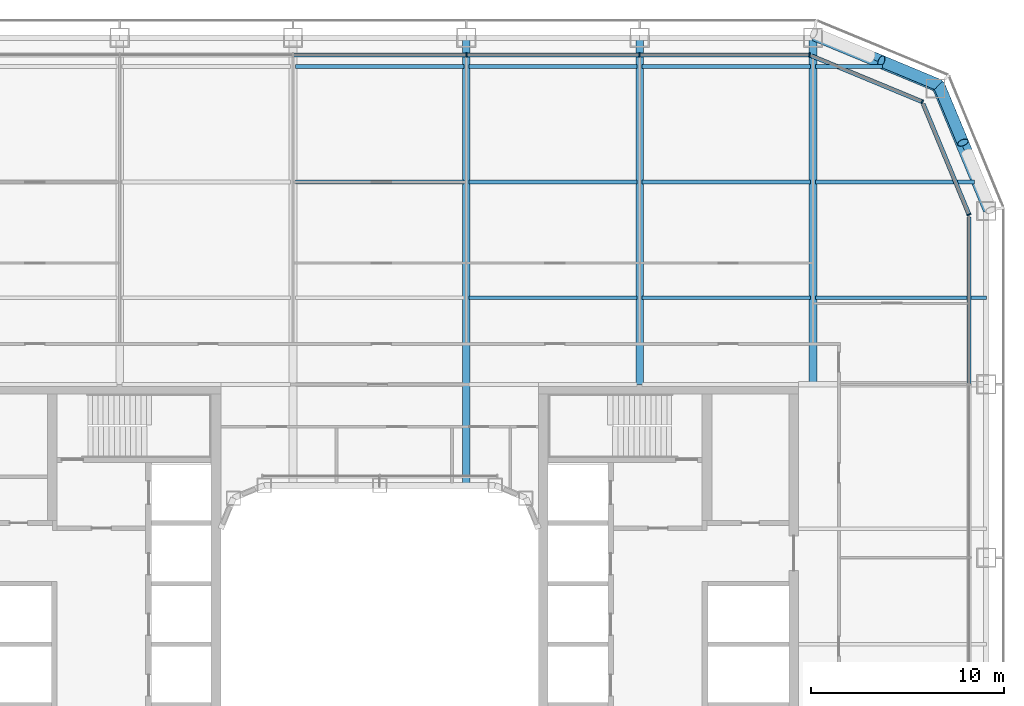
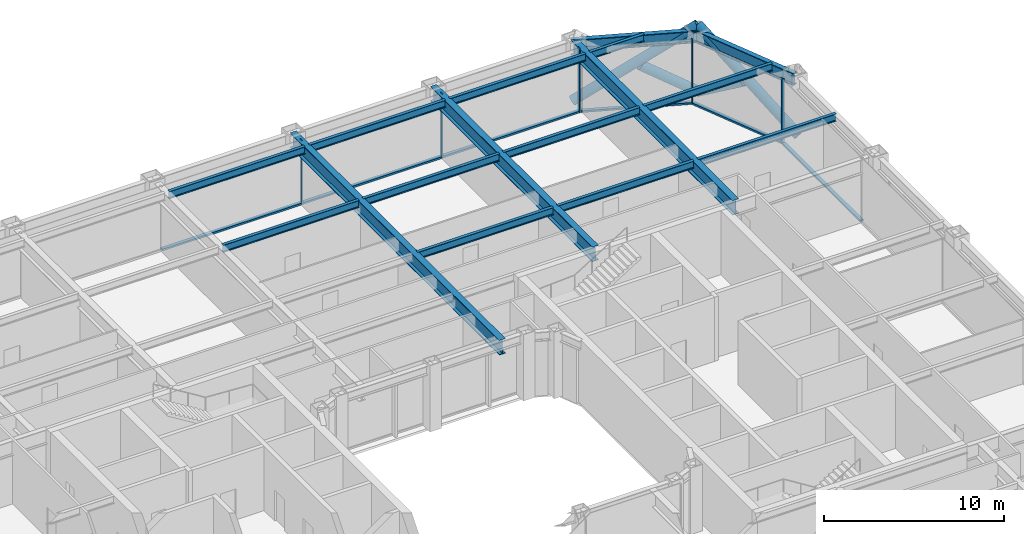
# One storey, part 10 of 27: 16 beams, 15 members, 4 elements without a shape of their own.
"""IFC4 building model written with IfcOpenShell, lengths in metres."""

from ifc_helpers import new_model, si_unit, direction, frame, origin, origin_2d, place, context, subcontext, project, spatial, rectangle, hollow_circle, i_section, extrude, material, layer, layer_set, material_profile, profile_set, type_object, element, aggregate, save


model = new_model("IFC4")

# Units and contexts
model_context = context("Model", 3, precision=1e-05, world=origin(), true_north=direction((0.0, 1.0)))
body_context = subcontext(model_context, "Body", "Model", "MODEL_VIEW")
ifc_project = project(units=[si_unit("LENGTHUNIT", "METRE"), si_unit("AREAUNIT", "SQUARE_METRE"), si_unit("VOLUMEUNIT", "CUBIC_METRE"), si_unit("PLANEANGLEUNIT", "RADIAN"), si_unit("MASSUNIT", "GRAM", prefix="KILO")], contexts=[model_context])

# Site, building, storey
site_placement = place(None, origin())
site = spatial("IfcSite", under=ifc_project, at=site_placement, CompositionType="ELEMENT")
building_placement = place(site_placement, origin())
building = spatial("IfcBuilding", under=site, at=building_placement, Name="Siwar Civic Tower", CompositionType="ELEMENT")
storey_placement = place(building_placement, frame((0.0, 0.0, 53.699951171875)))
storey = spatial("IfcBuildingStorey", under=building, at=storey_placement, Name="L11", CompositionType="ELEMENT", Elevation=53.699951171875)

# Curtain wall, member
ifc_material_1 = material(Name="Aluminium clad insulated panel", Category="aluminium")
ifc_layer_1 = layer(ifc_material_1, 0.219970703125)
ifc_layer_set_1 = layer_set([ifc_layer_1], Name="Aluminium clad insulated panel")
curtain_wall_type_1 = type_object("IfcCurtainWallType", Name="ENV-CW-AX", PredefinedType="NOTDEFINED", material=ifc_layer_set_1)
curtain_wall_1_placement = place(storey_placement, origin())
curtain_wall_1 = element("IfcCurtainWall", 1, at=curtain_wall_1_placement, inside=storey, type_object=curtain_wall_type_1, Name="Curtain wall A NE1", PredefinedType="NOTDEFINED")
ifc_material_2 = material(Name="Aluminium 6063-T6", Category="aluminium")
ifc_material_profile_1 = material_profile(ifc_material_2, rectangle(XDim=0.219970703125, YDim=0.070068359375, at=origin_2d()), Name="AL 220x70")
ifc_profile_set_1 = profile_set([ifc_material_profile_1], Name="Aluminium 6063-T6")
member_type_1 = type_object("IfcMemberType", Name="ENV-MULLION-A", PredefinedType="MULLION", material=ifc_profile_set_1)
member_1_placement = place(storey_placement, frame((30.60009765625, 22.321044921875, 0.0), z_axis=(0.0, 0.0, 1.0), x_axis=(-0.923879532511, -0.382683432365, 0.0)))
member_1 = element("IfcMember", 2, at=member_1_placement, type_object=member_type_1, Name="Mullion A NE1 1", PredefinedType="MULLION", context=body_context, shape_type="SweptSolid", body=[
    extrude(rectangle(XDim=0.219970703125, YDim=0.070068359375, at=origin_2d()), origin(), (0.0, 0.0, 1.0), 4.35009765625),
])

curtain_wall_2_placement = place(storey_placement, origin())
curtain_wall_2 = element("IfcCurtainWall", 3, at=curtain_wall_2_placement, inside=storey, type_object=curtain_wall_type_1, Name="Curtain wall A NE2", PredefinedType="NOTDEFINED")
member_2_placement = place(storey_placement, frame((28.175048828125, 28.175048828125, 0.0), z_axis=(0.0, 0.0, 1.0), x_axis=(-0.382683432365, -0.923879532511, 0.0)))
member_2 = element("IfcMember", 4, at=member_2_placement, type_object=member_type_1, Name="Mullion A NE2 1", PredefinedType="MULLION", context=body_context, shape_type="SweptSolid", body=[
    extrude(rectangle(XDim=0.219970703125, YDim=0.070068359375, at=origin_2d()), origin(), (0.0, 0.0, 1.0), 4.35009765625),
])

# Curtain wall, members
ifc_material_3 = material(Name="Aluminium and glass", Category="aluminium")
ifc_layer_2 = layer(ifc_material_3, 0.219970703125)
ifc_layer_set_2 = layer_set([ifc_layer_2], Name="Aluminium and glass")
curtain_wall_type_2 = type_object("IfcCurtainWallType", Name="ENV-CW-A", PredefinedType="NOTDEFINED", material=ifc_layer_set_2)
curtain_wall_3_placement = place(storey_placement, origin())
curtain_wall_3 = element("IfcCurtainWall", 5, at=curtain_wall_3_placement, inside=storey, type_object=curtain_wall_type_2, Name="Curtain wall A N", PredefinedType="NOTDEFINED")
member_3_placement = place(storey_placement, frame((22.321044921875, 30.60009765625, 0.0), z_axis=(0.0, 0.0, 1.0), x_axis=(0.0, -1.0, 0.0)))
member_3 = element("IfcMember", 6, at=member_3_placement, type_object=member_type_1, Name="Mullion A N 1", PredefinedType="MULLION", context=body_context, shape_type="SweptSolid", body=[
    extrude(rectangle(XDim=0.219970703125, YDim=0.070068359375, at=origin_2d()), origin(), (0.0, 0.0, 1.0), 4.35009765625),
])
member_4_placement = place(storey_placement, frame((13.5, 30.60009765625, 0.0), z_axis=(0.0, 0.0, 1.0), x_axis=(0.0, -1.0, 0.0)))
member_4 = element("IfcMember", 7, at=member_4_placement, type_object=member_type_1, Name="Mullion A N 2", PredefinedType="MULLION", context=body_context, shape_type="SweptSolid", body=[
    extrude(rectangle(XDim=0.219970703125, YDim=0.070068359375, at=origin_2d()), origin(), (0.0, 0.0, 1.0), 4.35009765625),
])
member_5_placement = place(storey_placement, frame((4.5, 30.60009765625, 0.0), z_axis=(0.0, 0.0, 1.0), x_axis=(0.0, -1.0, 0.0)))
member_5 = element("IfcMember", 8, at=member_5_placement, type_object=member_type_1, Name="Mullion A N 3", PredefinedType="MULLION", context=body_context, shape_type="SweptSolid", body=[
    extrude(rectangle(XDim=0.219970703125, YDim=0.070068359375, at=origin_2d()), origin(), (0.0, 0.0, 1.0), 4.35009765625),
])

# Curtain wall, member
curtain_wall_4_placement = place(storey_placement, origin())
curtain_wall_4 = element("IfcCurtainWall", 9, at=curtain_wall_4_placement, inside=storey, type_object=curtain_wall_type_2, Name="Curtain wall A E", PredefinedType="NOTDEFINED")
ifc_material_4 = material(Name="Aluminium 6063-T6", Category="aluminium")
ifc_material_profile_2 = material_profile(ifc_material_4, rectangle(XDim=0.219970703125, YDim=0.1201171875, at=origin_2d()), Name="AL 220x120")
ifc_profile_set_2 = profile_set([ifc_material_profile_2], Name="Aluminium 6063-T6")
member_type_2 = type_object("IfcMemberType", Name="ENV-TRANSOM-A", PredefinedType="USERDEFINED", material=ifc_profile_set_2)
member_6_placement = place(storey_placement, frame((30.60009765625, 13.534912109375, 0.06005859375), z_axis=(0.0, 1.0, 0.0), x_axis=(-1.0, 0.0, 0.0)))
member_6 = element("IfcMember", 10, at=member_6_placement, type_object=member_type_2, Name="Transom A E 5", ObjectType="TRANSOM", PredefinedType="USERDEFINED", context=body_context, shape_type="SweptSolid", body=[
    extrude(rectangle(XDim=0.219970703125, YDim=0.1201171875, at=origin_2d()), origin(), (0.0, 0.0, 1.0), 8.66357421875),
])
aggregate(curtain_wall_4, [member_6])

# Member
member_7_placement = place(storey_placement, frame((30.586669921875, 22.353271484375, 0.06005859375), z_axis=(-0.382698415042, 0.923873326341, 0.0), x_axis=(-0.923873326341, -0.382698415042, 0.0)))
member_7 = element("IfcMember", 11, at=member_7_placement, type_object=member_type_2, Name="Transom A NE1 1", ObjectType="TRANSOM", PredefinedType="USERDEFINED", context=body_context, shape_type="SweptSolid", body=[
    extrude(rectangle(XDim=0.219970703125, YDim=0.1201171875, at=origin_2d()), origin(), (0.0, 0.0, 1.0), 6.17919921875),
])

aggregate(curtain_wall_1, [member_1, member_7])

member_8_placement = place(storey_placement, frame((28.142822265625, 28.1884765625, 0.06005859375), z_axis=(-0.923873326341, 0.382698415042, 0.0), x_axis=(-0.382698415042, -0.923873326341, 0.0)))
member_8 = element("IfcMember", 12, at=member_8_placement, type_object=member_type_2, Name="Transom A NE2 1", ObjectType="TRANSOM", PredefinedType="USERDEFINED", context=body_context, shape_type="SweptSolid", body=[
    extrude(rectangle(XDim=0.219970703125, YDim=0.1201171875, at=origin_2d()), origin(), (0.0, 0.0, 1.0), 6.17919921875),
])

aggregate(curtain_wall_2, [member_2, member_8])

member_9_placement = place(storey_placement, frame((22.285888671875, 30.60009765625, 0.06005859375), z_axis=(-1.0, 0.0, 0.0), x_axis=(0.0, -1.0, 0.0)))
member_9 = element("IfcMember", 13, at=member_9_placement, type_object=member_type_2, Name="Transom A N 1", ObjectType="TRANSOM", PredefinedType="USERDEFINED", context=body_context, shape_type="SweptSolid", body=[
    extrude(rectangle(XDim=0.219970703125, YDim=0.1201171875, at=origin_2d()), origin(), (0.0, 0.0, 1.0), 8.7509765625),
])

member_10_placement = place(storey_placement, frame((13.465087890625, 30.60009765625, 0.06005859375), z_axis=(-1.0, 0.0, 0.0), x_axis=(0.0, -1.0, 0.0)))
member_10 = element("IfcMember", 14, at=member_10_placement, type_object=member_type_2, Name="Transom A N 2", ObjectType="TRANSOM", PredefinedType="USERDEFINED", context=body_context, shape_type="SweptSolid", body=[
    extrude(rectangle(XDim=0.219970703125, YDim=0.1201171875, at=origin_2d()), origin(), (0.0, 0.0, 1.0), 8.93017578125),
])

member_11_placement = place(storey_placement, frame((4.465087890625, 30.60009765625, 0.06005859375), z_axis=(-1.0, 0.0, 0.0), x_axis=(0.0, -1.0, 0.0)))
member_11 = element("IfcMember", 15, at=member_11_placement, type_object=member_type_2, Name="Transom A N 3", ObjectType="TRANSOM", PredefinedType="USERDEFINED", context=body_context, shape_type="SweptSolid", body=[
    extrude(rectangle(XDim=0.219970703125, YDim=0.1201171875, at=origin_2d()), origin(), (0.0, 0.0, 1.0), 8.93017578125),
])

aggregate(curtain_wall_3, [member_3, member_4, member_5, member_9, member_10, member_11])

# Members
ifc_material_5 = material(Name="Steel S355", Category="steel")
ifc_material_profile_3 = material_profile(ifc_material_5, hollow_circle(Radius=0.304931640625, WallThickness=0.030029296875, at=origin_2d()), Name="CHS610x30")
ifc_profile_set_3 = profile_set([ifc_material_profile_3], Name="Steel S355")
member_type_3 = type_object("IfcMemberType", Name="STR-BR-CHS610x30", PredefinedType="BRACE", material=ifc_profile_set_3)
member_12_placement = place(storey_placement, frame((22.548828125, 31.7451171875, 0.0), z_axis=(0.777554562952, -0.323905527954, 0.538975055633), x_axis=(0.384538969033, 0.923108759191, 0.0)))
element("IfcMember", 16, at=member_12_placement, inside=storey, type_object=member_type_3, Name="L11/brc/ANE1-10-0-1", PredefinedType="BRACE", context=body_context, shape_type="SweptSolid", body=[
    extrude(hollow_circle(Radius=0.304931640625, WallThickness=0.030029296875, at=origin_2d()), origin(), (0.0, 0.0, 1.0), 8.34912109375),
])
member_13_placement = place(storey_placement, frame((29.040771484375, 29.040771484375, 0.0), z_axis=(-0.777542179573, 0.323922979564, 0.53898243227), x_axis=(-0.384561842466, -0.923099230484, 0.0)))
element("IfcMember", 17, at=member_13_placement, inside=storey, type_object=member_type_3, Name="L11/brc/ANE1-10-0-2", PredefinedType="BRACE", context=body_context, shape_type="SweptSolid", body=[
    extrude(hollow_circle(Radius=0.304931640625, WallThickness=0.030029296875, at=origin_2d()), origin(), (0.0, 0.0, 1.0), 3.84375),
])
member_14_placement = place(storey_placement, frame((31.7451171875, 22.548828125, 0.0), z_axis=(-0.323905527954, 0.777554562952, 0.538975055633), x_axis=(-0.923108759191, -0.384538969033, 0.0)))
element("IfcMember", 18, at=member_14_placement, inside=storey, type_object=member_type_3, Name="L11/brc/ANE1-10-0-0", PredefinedType="BRACE", context=body_context, shape_type="SweptSolid", body=[
    extrude(hollow_circle(Radius=0.304931640625, WallThickness=0.030029296875, at=origin_2d()), origin(), (0.0, 0.0, 1.0), 8.34912109375),
])
member_15_placement = place(storey_placement, frame((29.040771484375, 29.040771484375, 0.0), z_axis=(0.323922979564, -0.777542179573, 0.53898243227), x_axis=(0.923099230484, 0.384561842466, 0.0)))
element("IfcMember", 19, at=member_15_placement, inside=storey, type_object=member_type_3, Name="L11/brc/ANE1-10-0-4", PredefinedType="BRACE", context=body_context, shape_type="SweptSolid", body=[
    extrude(hollow_circle(Radius=0.304931640625, WallThickness=0.030029296875, at=origin_2d()), origin(), (0.0, 0.0, 1.0), 3.84375),
])

# Beams
ifc_material_6 = material(Name="Steel S355", Category="steel")
ifc_material_profile_4 = material_profile(ifc_material_6, i_section(OverallWidth=0.199951171875, OverallDepth=0.5, WebThickness=0.01025390625, FlangeThickness=0.01611328125, FilletRadius=0.02099609375, at=origin_2d()), Name="IPE500")
ifc_profile_set_4 = profile_set([ifc_material_profile_4], Name="Steel S355")
beam_type_1 = type_object("IfcBeamType", Name="STR-FB-IPE500", PredefinedType="JOIST", material=ifc_profile_set_4)
for number, where, z_axis, x_axis, name in (
    (20, (4.6298828125, 18.0, 4.10009765625), (1.0, 0.0, 0.0), (0.0, 1.0, 0.0), "L11/bm/F050"),
    (21, (13.6298828125, 18.0, 4.10009765625), (1.0, 0.0, 0.0), (0.0, 1.0, 0.0), "L11/bm/F051"),
):
    element("IfcBeam", number, at=place(storey_placement, frame(where, z_axis=z_axis, x_axis=x_axis)), inside=storey, type_object=beam_type_1, Name=name, PredefinedType="JOIST", context=body_context, shape_type="SweptSolid", body=[
        extrude(i_section(OverallWidth=0.199951171875, OverallDepth=0.5, WebThickness=0.01025390625, FlangeThickness=0.01611328125, FilletRadius=0.02099609375, at=origin_2d()), origin(), (0.0, 0.0, 1.0), 8.740234375),
    ])
beam_1_placement = place(storey_placement, frame((22.6298828125, 18.0, 4.10009765625), z_axis=(1.0, 0.0, 0.0), x_axis=(0.0, 1.0, 0.0)))
element("IfcBeam", 22, at=beam_1_placement, inside=storey, type_object=beam_type_1, Name="L11/bm/F052", PredefinedType="JOIST", context=body_context, shape_type="SweptSolid", body=[
    extrude(i_section(OverallWidth=0.199951171875, OverallDepth=0.5, WebThickness=0.01025390625, FlangeThickness=0.01611328125, FilletRadius=0.02099609375, at=origin_2d()), origin(), (0.0, 0.0, 1.0), 8.8701171875),
])
for number, where, z_axis, x_axis, name in (
    (23, (-4.3701171875, 24.0, 4.10009765625), (1.0, 0.0, 0.0), (0.0, 1.0, 0.0), "L11/bm/F056"),
    (24, (4.6298828125, 24.0, 4.10009765625), (1.0, 0.0, 0.0), (0.0, 1.0, 0.0), "L11/bm/F057"),
    (25, (13.6298828125, 24.0, 4.10009765625), (1.0, 0.0, 0.0), (0.0, 1.0, 0.0), "L11/bm/F058"),
):
    element("IfcBeam", number, at=place(storey_placement, frame(where, z_axis=z_axis, x_axis=x_axis)), inside=storey, type_object=beam_type_1, Name=name, PredefinedType="JOIST", context=body_context, shape_type="SweptSolid", body=[
        extrude(i_section(OverallWidth=0.199951171875, OverallDepth=0.5, WebThickness=0.01025390625, FlangeThickness=0.01611328125, FilletRadius=0.02099609375, at=origin_2d()), origin(), (0.0, 0.0, 1.0), 8.740234375),
    ])
beam_2_placement = place(storey_placement, frame((22.6298828125, 24.0, 4.10009765625), z_axis=(1.0, 0.0, 0.0), x_axis=(0.0, 1.0, 0.0)))
element("IfcBeam", 26, at=beam_2_placement, inside=storey, type_object=beam_type_1, Name="L11/bm/F059", PredefinedType="JOIST", context=body_context, shape_type="SweptSolid", body=[
    extrude(i_section(OverallWidth=0.199951171875, OverallDepth=0.5, WebThickness=0.01025390625, FlangeThickness=0.01611328125, FilletRadius=0.02099609375, at=origin_2d()), origin(), (0.0, 0.0, 1.0), 8.248779296875),
])
for number, where, z_axis, x_axis, name in (
    (27, (-4.3701171875, 30.0, 4.10009765625), (1.0, 0.0, 0.0), (0.0, 1.0, 0.0), "L11/bm/F063"),
    (28, (4.6298828125, 30.0, 4.10009765625), (1.0, 0.0, 0.0), (0.0, 1.0, 0.0), "L11/bm/F064"),
    (29, (13.6298828125, 30.0, 4.10009765625), (1.0, 0.0, 0.0), (0.0, 1.0, 0.0), "L11/bm/F065"),
):
    element("IfcBeam", number, at=place(storey_placement, frame(where, z_axis=z_axis, x_axis=x_axis)), inside=storey, type_object=beam_type_1, Name=name, PredefinedType="JOIST", context=body_context, shape_type="SweptSolid", body=[
        extrude(i_section(OverallWidth=0.199951171875, OverallDepth=0.5, WebThickness=0.01025390625, FlangeThickness=0.01611328125, FilletRadius=0.02099609375, at=origin_2d()), origin(), (0.0, 0.0, 1.0), 8.740234375),
    ])
beam_3_placement = place(storey_placement, frame((22.6298828125, 30.0, 4.10009765625), z_axis=(1.0, 0.0, 0.0), x_axis=(0.0, 1.0, 0.0)))
element("IfcBeam", 30, at=beam_3_placement, inside=storey, type_object=beam_type_1, Name="L11/bm/F066", PredefinedType="JOIST", context=body_context, shape_type="SweptSolid", body=[
    extrude(i_section(OverallWidth=0.199951171875, OverallDepth=0.5, WebThickness=0.01025390625, FlangeThickness=0.01611328125, FilletRadius=0.02099609375, at=origin_2d()), origin(), (0.0, 0.0, 1.0), 3.491455078125),
])
ifc_material_7 = material(Name="Steel S355", Category="steel")
ifc_material_profile_5 = material_profile(ifc_material_7, i_section(OverallWidth=0.39990234375, OverallDepth=1.0, WebThickness=0.01611328125, FlangeThickness=0.0400390625, at=origin_2d()), Name="PG1000x400x16x40")
ifc_profile_set_5 = profile_set([ifc_material_profile_5], Name="Steel S355")
beam_type_2 = type_object("IfcBeamType", Name="STR-PG-PG1000x400x16x40", PredefinedType="BEAM", material=ifc_profile_set_5)
beam_4_placement = place(storey_placement, frame((4.5, 8.25, 3.85009765625), z_axis=(0.0, 1.0, 0.0), x_axis=(-1.0, 0.0, 0.0)))
element("IfcBeam", 31, at=beam_4_placement, inside=storey, type_object=beam_type_2, Name="L11/bm/G08", PredefinedType="BEAM", context=body_context, shape_type="SweptSolid", body=[
    extrude(i_section(OverallWidth=0.39990234375, OverallDepth=1.0, WebThickness=0.01611328125, FlangeThickness=0.0400390625, at=origin_2d()), origin(), (0.0, 0.0, 1.0), 23.25),
])
for number, where, z_axis, x_axis, name in (
    (32, (13.5, 13.5, 3.85009765625), (0.0, 1.0, 0.0), (-1.0, 0.0, 0.0), "L11/bm/G10"),
    (33, (22.5, 13.5, 3.85009765625), (0.0, 1.0, 0.0), (-1.0, 0.0, 0.0), "L11/bm/G12"),
):
    element("IfcBeam", number, at=place(storey_placement, frame(where, z_axis=z_axis, x_axis=x_axis)), inside=storey, type_object=beam_type_2, Name=name, PredefinedType="BEAM", context=body_context, shape_type="SweptSolid", body=[
        extrude(i_section(OverallWidth=0.39990234375, OverallDepth=1.0, WebThickness=0.01611328125, FlangeThickness=0.0400390625, at=origin_2d()), origin(), (0.0, 0.0, 1.0), 18.0),
    ])
ifc_material_8 = material(Name="Steel S355", Category="steel")
ifc_material_profile_6 = material_profile(ifc_material_8, i_section(OverallWidth=0.302978515625, OverallDepth=0.81396484375, WebThickness=0.02099609375, FlangeThickness=0.0400390625, FilletRadius=0.030029296875, at=origin_2d()), Name="HEM800")
ifc_profile_set_6 = profile_set([ifc_material_profile_6], Name="Steel S355")
beam_type_3 = type_object("IfcBeamType", Name="STR-SB-HEM800", PredefinedType="BEAM", material=ifc_profile_set_6)
for number, where, z_axis, x_axis, name in (
    (34, (31.5, 22.5, 3.943115234375), (-0.382674207535, 0.923883353507, 0.0), (-0.923883353507, -0.382674207535, 0.0), "L11/bm/SNE1-0"),
    (35, (28.864013671875, 28.864013671875, 3.943115234375), (-0.923883353507, 0.382674207535, 0.0), (-0.382674207535, -0.923883353507, 0.0), "L11/bm/SNE2-0"),
):
    element("IfcBeam", number, at=place(storey_placement, frame(where, z_axis=z_axis, x_axis=x_axis)), inside=storey, type_object=beam_type_3, Name=name, PredefinedType="BEAM", context=body_context, shape_type="SweptSolid", body=[
        extrude(i_section(OverallWidth=0.302978515625, OverallDepth=0.81396484375, WebThickness=0.02099609375, FlangeThickness=0.0400390625, FilletRadius=0.030029296875, at=origin_2d()), origin(), (0.0, 0.0, 1.0), 6.888427734375),
    ])

save(model, "model.ifc")
